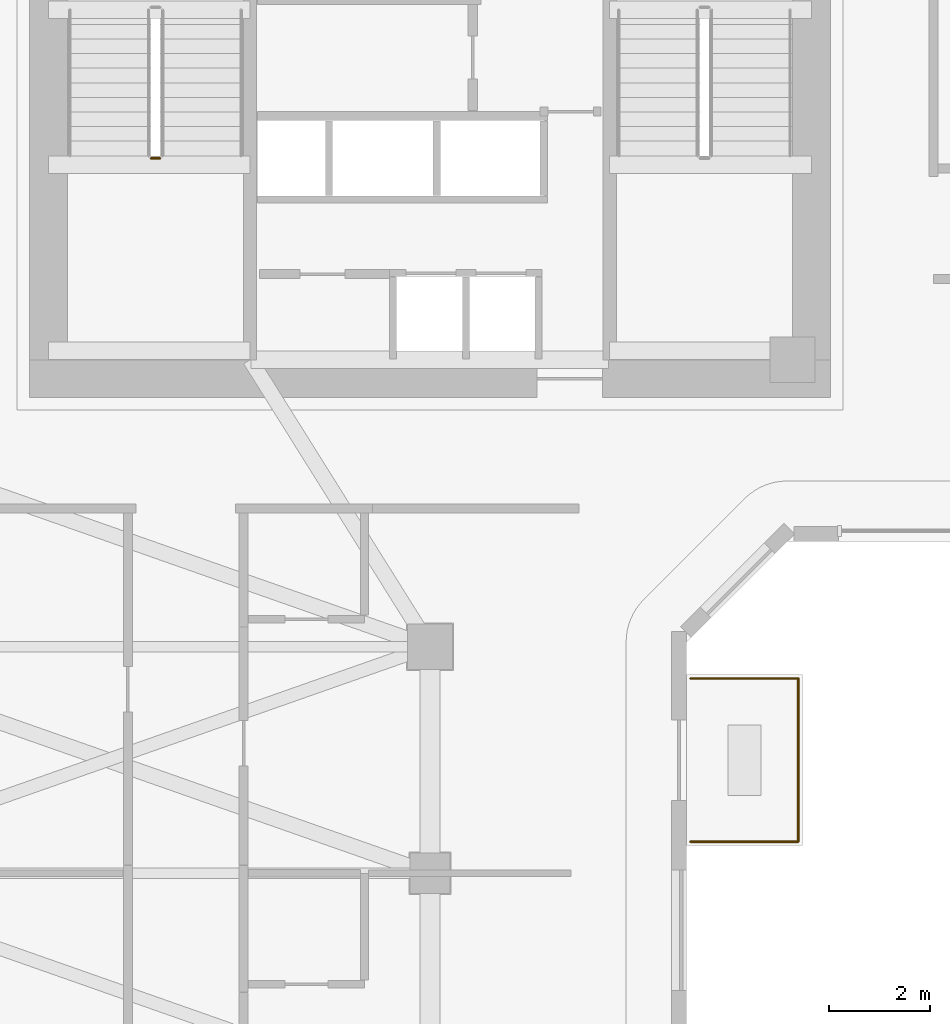
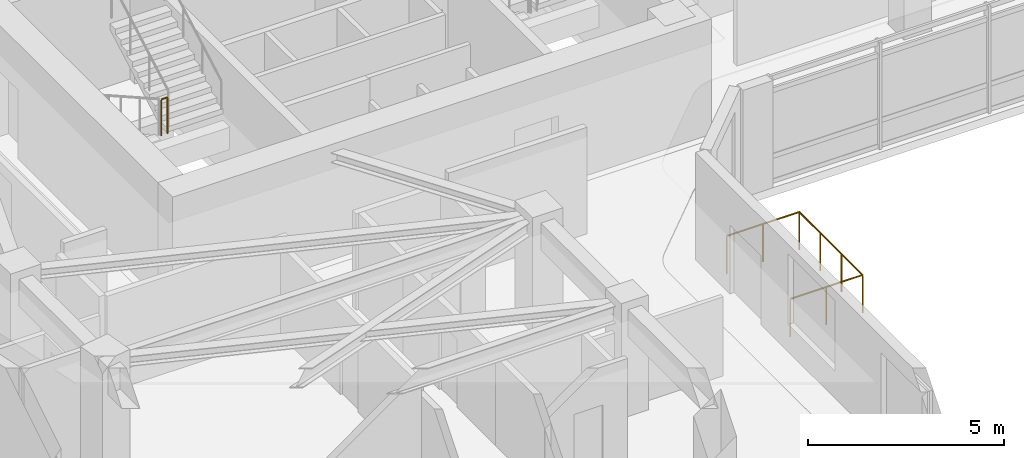
# One storey, part 8 of 10: 4 railings.
"""IFC4 building model written with IfcOpenShell, lengths in metres."""

from ifc_helpers import new_model, si_unit, direction, frame, origin, origin_2d, place, context, subcontext, project, spatial, circle, extrude, material, type_object, element, save


model = new_model("IFC4")

# Units and contexts
model_context = context("Model", 3, precision=1e-05, world=origin(), true_north=direction((0.0, 1.0)))
body_context = subcontext(model_context, "Body", "Model", "MODEL_VIEW")
ifc_project = project(units=[si_unit("LENGTHUNIT", "METRE"), si_unit("AREAUNIT", "SQUARE_METRE"), si_unit("VOLUMEUNIT", "CUBIC_METRE"), si_unit("PLANEANGLEUNIT", "RADIAN"), si_unit("MASSUNIT", "GRAM", prefix="KILO")], contexts=[model_context])

# Site, building, storey
site_placement = place(None, origin())
site = spatial("IfcSite", under=ifc_project, at=site_placement, CompositionType="ELEMENT")
building_placement = place(site_placement, origin())
building = spatial("IfcBuilding", under=site, at=building_placement, Name="Calvemar Wedge Station Tower", CompositionType="ELEMENT")
storey_placement = place(building_placement, frame((0.0, 0.0, 110.60009765625)))
storey = spatial("IfcBuildingStorey", under=building, at=storey_placement, Name="L26", CompositionType="ELEMENT", Elevation=110.60009765625)

# Railings
ifc_material_1 = material(Name="Stainless steel AISI 316L", Category="steel")
railing_type_1 = type_object("IfcRailingType", Name="GRD-TERR-1200", PredefinedType="GUARDRAIL", material=ifc_material_1)
railing_1_placement = place(storey_placement, frame((28.97607421875, 27.8701171875, 0.0)))
element("IfcRailing", 1, at=railing_1_placement, inside=storey, type_object=railing_type_1, Name="Storey L26 Spiral Terrace Guard 2", PredefinedType="GUARDRAIL", context=body_context, shape_type="SweptSolid", body=[
    extrude(circle(Radius=0.02392578125, at=origin_2d()), frame((0.0, 0.0, 1.17578125), z_axis=(1.0, 0.0, 0.0), x_axis=(0.0, 1.0, 0.0)), (0.0, 0.0, 1.0), 2.139892578125),
    extrude(circle(Radius=0.02099609375, at=origin_2d()), origin(), (0.0, 0.0, 1.0), 1.15185546875),
    extrude(circle(Radius=0.02099609375, at=origin_2d()), frame((1.06982421875, 0.0, 0.0)), (0.0, 0.0, 1.0), 1.15185546875),
    extrude(circle(Radius=0.02099609375, at=origin_2d()), frame((2.139892578125, 0.0, 0.0)), (0.0, 0.0, 1.0), 1.15185546875),
])
railing_2_placement = place(storey_placement, frame((31.115966796875, 27.8701171875, 0.0)))
element("IfcRailing", 2, at=railing_2_placement, inside=storey, type_object=railing_type_1, Name="Storey L26 Spiral Terrace Guard 3", PredefinedType="GUARDRAIL", context=body_context, shape_type="SweptSolid", body=[
    extrude(circle(Radius=0.02392578125, at=origin_2d()), frame((0.0, 0.0, 1.17578125), z_axis=(0.0, -1.0, 0.0), x_axis=(1.0, 0.0, 0.0)), (0.0, 0.0, 1.0), 3.240234375),
    extrude(circle(Radius=0.02099609375, at=origin_2d()), origin(), (0.0, 0.0, 1.0), 1.15185546875),
    extrude(circle(Radius=0.02099609375, at=origin_2d()), frame((0.0, -1.080078125, 0.0)), (0.0, 0.0, 1.0), 1.15185546875),
    extrude(circle(Radius=0.02099609375, at=origin_2d()), frame((0.0, -2.16015625, 0.0)), (0.0, 0.0, 1.0), 1.15185546875),
    extrude(circle(Radius=0.02099609375, at=origin_2d()), frame((0.0, -3.240234375, 0.0)), (0.0, 0.0, 1.0), 1.15185546875),
])
railing_3_placement = place(storey_placement, frame((31.115966796875, 24.6298828125, 0.0)))
element("IfcRailing", 3, at=railing_3_placement, inside=storey, type_object=railing_type_1, Name="Storey L26 Spiral Terrace Guard 4", PredefinedType="GUARDRAIL", context=body_context, shape_type="SweptSolid", body=[
    extrude(circle(Radius=0.02392578125, at=origin_2d()), frame((0.0, 0.0, 1.17578125), z_axis=(-1.0, 0.0, 0.0), x_axis=(0.0, -1.0, 0.0)), (0.0, 0.0, 1.0), 2.139892578125),
    extrude(circle(Radius=0.02099609375, at=origin_2d()), origin(), (0.0, 0.0, 1.0), 1.15185546875),
    extrude(circle(Radius=0.02099609375, at=origin_2d()), frame((-1.06982421875, 0.0, 0.0)), (0.0, 0.0, 1.0), 1.15185546875),
    extrude(circle(Radius=0.02099609375, at=origin_2d()), frame((-2.139892578125, 0.0, 0.0)), (0.0, 0.0, 1.0), 1.15185546875),
])
ifc_material_2 = material(Name="Painted steel guardrail ASTM A500 Grade C", Category="steel")
railing_type_2 = type_object("IfcRailingType", Name="RL-STAIR-GUARD-1150", PredefinedType="GUARDRAIL", material=ifc_material_2)
railing_4_placement = place(storey_placement, frame((18.260009765625, 38.199951171875, 1.7998046875)))
element("IfcRailing", 4, at=railing_4_placement, inside=storey, type_object=railing_type_2, Name="L26 ST-C1 stair guard 2", PredefinedType="GUARDRAIL", context=body_context, shape_type="SweptSolid", body=[
    extrude(circle(Radius=0.02392578125, at=origin_2d()), frame((0.0, 0.0, 1.1259765625), z_axis=(1.0, 0.0, 0.0), x_axis=(0.0, 1.0, 0.0)), (0.0, 0.0, 1.0), 0.179931640625),
    extrude(circle(Radius=0.02099609375, at=origin_2d()), origin(), (0.0, 0.0, 1.0), 1.101806640625),
    extrude(circle(Radius=0.02099609375, at=origin_2d()), frame((0.179931640625, 0.0, 0.0)), (0.0, 0.0, 1.0), 1.101806640625),
])

save(model, "model.ifc")
